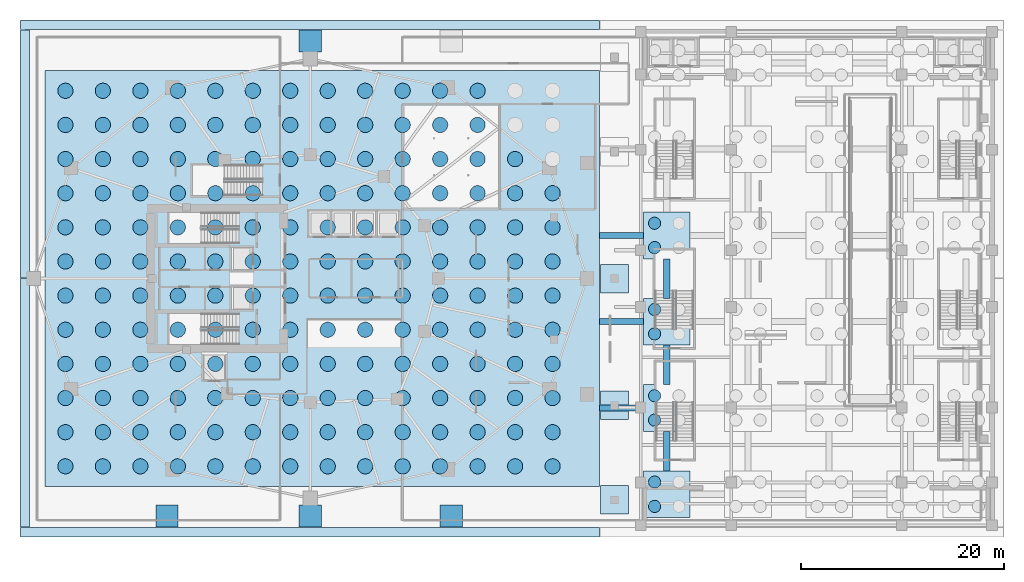
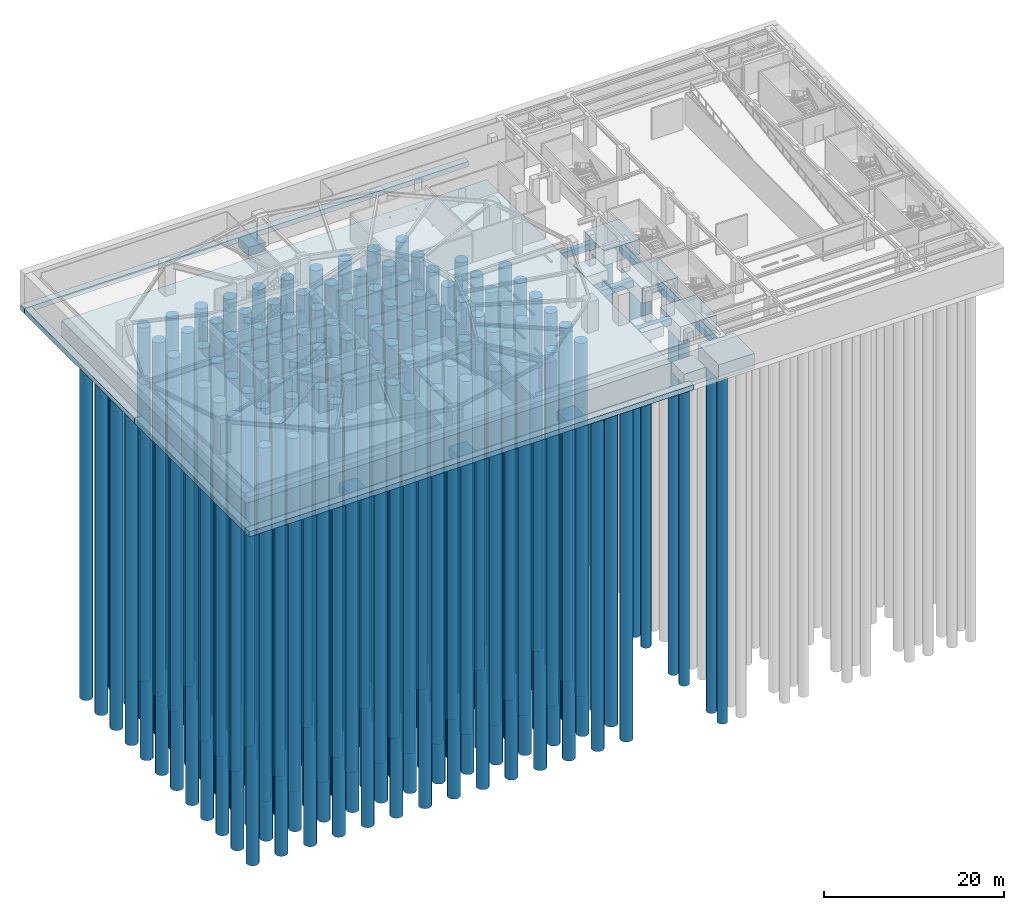
# One storey, part 1 of 19: 171 piles, 22 footings.
"""IFC4 building model written with IfcOpenShell, lengths in metres."""

from ifc_helpers import new_model, si_unit, direction, frame, origin, origin_2d, place, context, subcontext, project, spatial, polyline, rectangle, circle, outline, extrude, material, material_profile, profile_set, type_object, element, save


model = new_model("IFC4")

# Units and contexts
model_context = context("Model", 3, precision=1e-05, world=origin(), true_north=direction((0.0, 1.0)))
body_context = subcontext(model_context, "Body", "Model", "MODEL_VIEW")
ifc_project = project(units=[si_unit("LENGTHUNIT", "METRE"), si_unit("AREAUNIT", "SQUARE_METRE"), si_unit("VOLUMEUNIT", "CUBIC_METRE"), si_unit("PLANEANGLEUNIT", "RADIAN"), si_unit("MASSUNIT", "GRAM", prefix="KILO")], contexts=[model_context])

# Site, building, storey
site_placement = place(None, origin())
site = spatial("IfcSite", under=ifc_project, at=site_placement, CompositionType="ELEMENT")
building_placement = place(site_placement, origin())
building = spatial("IfcBuilding", under=site, at=building_placement, Name="Kolvaren Gate Tower and Convention Centre", CompositionType="ELEMENT")
storey_placement = place(building_placement, frame((0.0, 0.0, -13.5)))
storey = spatial("IfcBuildingStorey", under=building, at=storey_placement, Name="B3", CompositionType="ELEMENT", Elevation=-13.5)

# Footings
ifc_material_1 = material(Name="Concrete C50/60", Category="concrete")
ifc_material_profile_1 = material_profile(ifc_material_1, rectangle(XDim=0.60009765625, YDim=0.89990234375, at=origin_2d()), Name="RC-BM-600X900")
ifc_profile_set_1 = profile_set([ifc_material_profile_1], Name="Concrete C50/60")
footing_type_1 = type_object("IfcFootingType", Name="FND-GB-600X900", PredefinedType="FOOTING_BEAM", material=ifc_profile_set_1)
for number, where, z_axis, x_axis, name in (
    (1, (58.60009765625, 14.25, -0.949951171875), (1.0, 0.0, 0.0), (0.0, 1.0, 0.0), "Substructure Ground Tie Beam GB-004"),
    (2, (58.60009765625, 22.75, -0.949951171875), (1.0, 0.0, 0.0), (0.0, 1.0, 0.0), "Substructure Ground Tie Beam GB-008"),
    (3, (58.60009765625, 31.25, -0.949951171875), (1.0, 0.0, 0.0), (0.0, 1.0, 0.0), "Substructure Ground Tie Beam GB-012"),
):
    element("IfcFooting", number, at=place(storey_placement, frame(where, z_axis=z_axis, x_axis=x_axis)), inside=storey, type_object=footing_type_1, Name=name, PredefinedType="FOOTING_BEAM", context=body_context, shape_type="SweptSolid", body=[
        extrude(rectangle(XDim=0.60009765625, YDim=0.89990234375, at=origin_2d()), origin(), (0.0, 0.0, 1.0), 4.349853515625),
    ])
for number, where, z_axis, x_axis, name in (
    (4, (65.25, 8.050048828125, -0.949951171875), (0.0, 1.0, 0.0), (-1.0, 0.0, 0.0), "Substructure Ground Tie Beam GB-023"),
    (5, (65.25, 16.550048828125, -0.949951171875), (0.0, 1.0, 0.0), (-1.0, 0.0, 0.0), "Substructure Ground Tie Beam GB-024"),
    (6, (65.25, 25.050048828125, -0.949951171875), (0.0, 1.0, 0.0), (-1.0, 0.0, 0.0), "Substructure Ground Tie Beam GB-025"),
):
    element("IfcFooting", number, at=place(storey_placement, frame(where, z_axis=z_axis, x_axis=x_axis)), inside=storey, type_object=footing_type_1, Name=name, PredefinedType="FOOTING_BEAM", context=body_context, shape_type="SweptSolid", body=[
        extrude(rectangle(XDim=0.60009765625, YDim=0.89990234375, at=origin_2d()), origin(), (0.0, 0.0, 1.0), 3.89990234375),
    ])
footing_type_2 = type_object("IfcFootingType", Name="FND-PAD-2200", PredefinedType="PAD_FOOTING", material=ifc_material_1)
for number, where, z_axis, x_axis, name in (
    (7, (30.125, 3.60009765625, -1.7001953125), (0.0, 0.0, 1.0), (1.0, 0.0, 0.0), "Basement Column Pad Footing PF-06"),
    (8, (30.125, 50.39990234375, -1.7001953125), (0.0, 0.0, 1.0), (1.0, 0.0, 0.0), "Basement Column Pad Footing PF-07"),
    (9, (44.0, 3.60009765625, -1.7001953125), (0.0, 0.0, 1.0), (1.0, 0.0, 0.0), "Basement Column Pad Footing PF-08"),
    (10, (16.0, 3.60009765625, -1.7001953125), (0.0, 0.0, 1.0), (1.0, 0.0, 0.0), "Basement Column Pad Footing PF-10"),
):
    element("IfcFooting", number, at=place(storey_placement, frame(where, z_axis=z_axis, x_axis=x_axis)), inside=storey, type_object=footing_type_2, Name=name, PredefinedType="PAD_FOOTING", context=body_context, shape_type="SweptSolid", body=[
        extrude(rectangle(XDim=2.199951171875, YDim=2.199951171875, at=origin_2d()), origin(), (0.0, 0.0, 1.0), 1.199951171875),
    ])
footing_type_3 = type_object("IfcFootingType", Name="FND-PAD-2800", PredefinedType="PAD_FOOTING", material=ifc_material_1)
for number, where, z_axis, x_axis, name in (
    (11, (60.10009765625, 5.199951171875, -1.89990234375), (0.0, 0.0, 1.0), (1.0, 0.0, 0.0), "Basement Column Pad Footing PF-01"),
    (12, (60.10009765625, 14.5, -1.89990234375), (0.0, 0.0, 1.0), (1.0, 0.0, 0.0), "Basement Column Pad Footing PF-02"),
    (13, (60.10009765625, 27.0, -1.89990234375), (0.0, 0.0, 1.0), (1.0, 0.0, 0.0), "Basement Column Pad Footing PF-03"),
):
    element("IfcFooting", number, at=place(storey_placement, frame(where, z_axis=z_axis, x_axis=x_axis)), inside=storey, type_object=footing_type_3, Name=name, PredefinedType="PAD_FOOTING", context=body_context, shape_type="SweptSolid", body=[
        extrude(rectangle(XDim=2.800048828125, YDim=2.800048828125, at=origin_2d()), origin(), (0.0, 0.0, 1.0), 1.39990234375),
    ])
ifc_material_2 = material(Name="Concrete C60/75", Category="concrete")
footing_type_4 = type_object("IfcFootingType", Name="FND-PCAP-4600", PredefinedType="PILE_CAP", material=ifc_material_2)
for number, where, z_axis, x_axis, name in (
    (14, (65.25, 5.75, -2.5), (0.0, 0.0, 1.0), (1.0, 0.0, 0.0), "Convention Pile Cap PCAP-C-01"),
    (15, (65.25, 14.25, -2.5), (0.0, 0.0, 1.0), (1.0, 0.0, 0.0), "Convention Pile Cap PCAP-C-02"),
    (16, (65.25, 22.75, -2.5), (0.0, 0.0, 1.0), (1.0, 0.0, 0.0), "Convention Pile Cap PCAP-C-03"),
    (17, (65.25, 31.25, -2.5), (0.0, 0.0, 1.0), (1.0, 0.0, 0.0), "Convention Pile Cap PCAP-C-04"),
):
    element("IfcFooting", number, at=place(storey_placement, frame(where, z_axis=z_axis, x_axis=x_axis)), inside=storey, type_object=footing_type_4, Name=name, PredefinedType="PILE_CAP", context=body_context, shape_type="SweptSolid", body=[
        extrude(rectangle(XDim=4.60009765625, YDim=4.60009765625, at=origin_2d()), origin(), (0.0, 0.0, 1.0), 2.0),
    ])

# Piles
ifc_material_profile_2 = material_profile(ifc_material_1, circle(Radius=0.60009765625, at=origin_2d()), Name="CAISSON-D1200")
ifc_profile_set_2 = profile_set([ifc_material_profile_2], Name="Concrete C50/60")
pile_type_1 = type_object("IfcPileType", Name="FND-PILE-D1200", PredefinedType="BORED", material=ifc_profile_set_2)
for number, where, z_axis, x_axis, name in (
    (18, (64.050048828125, 4.550048828125, -1.89990234375), (0.0, 0.0, -1.0), (1.0, 0.0, 0.0), "Bored Rock-Socketed Caisson PILE-C-169"),
    (19, (64.050048828125, 6.949951171875, -1.89990234375), (0.0, 0.0, -1.0), (1.0, 0.0, 0.0), "Bored Rock-Socketed Caisson PILE-C-170"),
    (20, (64.050048828125, 13.050048828125, -1.89990234375), (0.0, 0.0, -1.0), (1.0, 0.0, 0.0), "Bored Rock-Socketed Caisson PILE-C-173"),
    (21, (64.050048828125, 15.449951171875, -1.89990234375), (0.0, 0.0, -1.0), (1.0, 0.0, 0.0), "Bored Rock-Socketed Caisson PILE-C-174"),
    (22, (64.050048828125, 21.550048828125, -1.89990234375), (0.0, 0.0, -1.0), (1.0, 0.0, 0.0), "Bored Rock-Socketed Caisson PILE-C-177"),
    (23, (64.050048828125, 23.949951171875, -1.89990234375), (0.0, 0.0, -1.0), (1.0, 0.0, 0.0), "Bored Rock-Socketed Caisson PILE-C-178"),
    (24, (64.050048828125, 30.050048828125, -1.89990234375), (0.0, 0.0, -1.0), (1.0, 0.0, 0.0), "Bored Rock-Socketed Caisson PILE-C-181"),
    (25, (64.050048828125, 32.449951171875, -1.89990234375), (0.0, 0.0, -1.0), (1.0, 0.0, 0.0), "Bored Rock-Socketed Caisson PILE-C-182"),
):
    element("IfcPile", number, at=place(storey_placement, frame(where, z_axis=z_axis, x_axis=x_axis)), inside=storey, type_object=pile_type_1, Name=name, PredefinedType="BORED", context=body_context, shape_type="SweptSolid", body=[
        extrude(circle(Radius=0.60009765625, at=origin_2d()), origin(), (0.0, 0.0, 1.0), 48.0),
    ])
ifc_material_profile_3 = material_profile(ifc_material_1, circle(Radius=0.75, at=origin_2d()), Name="CAISSON-D1500")
ifc_profile_set_3 = profile_set([ifc_material_profile_3], Name="Concrete C50/60")
pile_type_2 = type_object("IfcPileType", Name="FND-PILE-D1500", PredefinedType="BORED", material=ifc_profile_set_3)
for number, where, z_axis, x_axis, name in (
    (26, (6.0, 8.5, -3.10009765625), (0.0, 0.0, -1.0), (1.0, 0.0, 0.0), "Bored Rock-Socketed Caisson PILE-T-001"),
    (27, (6.0, 11.864013671875, -3.10009765625), (0.0, 0.0, -1.0), (1.0, 0.0, 0.0), "Bored Rock-Socketed Caisson PILE-T-002"),
    (28, (6.0, 15.22705078125, -3.10009765625), (0.0, 0.0, -1.0), (1.0, 0.0, 0.0), "Bored Rock-Socketed Caisson PILE-T-003"),
    (29, (6.0, 18.591064453125, -3.10009765625), (0.0, 0.0, -1.0), (1.0, 0.0, 0.0), "Bored Rock-Socketed Caisson PILE-T-004"),
    (30, (6.0, 21.955078125, -3.10009765625), (0.0, 0.0, -1.0), (1.0, 0.0, 0.0), "Bored Rock-Socketed Caisson PILE-T-005"),
    (31, (6.0, 25.318115234375, -3.10009765625), (0.0, 0.0, -1.0), (1.0, 0.0, 0.0), "Bored Rock-Socketed Caisson PILE-T-006"),
    (32, (6.0, 28.681884765625, -3.10009765625), (0.0, 0.0, -1.0), (1.0, 0.0, 0.0), "Bored Rock-Socketed Caisson PILE-T-007"),
    (33, (6.0, 32.044921875, -3.10009765625), (0.0, 0.0, -1.0), (1.0, 0.0, 0.0), "Bored Rock-Socketed Caisson PILE-T-008"),
    (34, (6.0, 35.408935546875, -3.10009765625), (0.0, 0.0, -1.0), (1.0, 0.0, 0.0), "Bored Rock-Socketed Caisson PILE-T-009"),
    (35, (6.0, 38.77294921875, -3.10009765625), (0.0, 0.0, -1.0), (1.0, 0.0, 0.0), "Bored Rock-Socketed Caisson PILE-T-010"),
    (36, (6.0, 42.135986328125, -3.10009765625), (0.0, 0.0, -1.0), (1.0, 0.0, 0.0), "Bored Rock-Socketed Caisson PILE-T-011"),
    (37, (6.0, 45.5, -3.10009765625), (0.0, 0.0, -1.0), (1.0, 0.0, 0.0), "Bored Rock-Socketed Caisson PILE-T-012"),
    (38, (9.69189453125, 8.5, -3.10009765625), (0.0, 0.0, -1.0), (1.0, 0.0, 0.0), "Bored Rock-Socketed Caisson PILE-T-013"),
    (39, (9.69189453125, 11.864013671875, -3.10009765625), (0.0, 0.0, -1.0), (1.0, 0.0, 0.0), "Bored Rock-Socketed Caisson PILE-T-014"),
    (40, (9.69189453125, 15.22705078125, -3.10009765625), (0.0, 0.0, -1.0), (1.0, 0.0, 0.0), "Bored Rock-Socketed Caisson PILE-T-015"),
    (41, (9.69189453125, 18.591064453125, -3.10009765625), (0.0, 0.0, -1.0), (1.0, 0.0, 0.0), "Bored Rock-Socketed Caisson PILE-T-016"),
    (42, (9.69189453125, 21.955078125, -3.10009765625), (0.0, 0.0, -1.0), (1.0, 0.0, 0.0), "Bored Rock-Socketed Caisson PILE-T-017"),
    (43, (9.69189453125, 25.318115234375, -3.10009765625), (0.0, 0.0, -1.0), (1.0, 0.0, 0.0), "Bored Rock-Socketed Caisson PILE-T-018"),
    (44, (9.69189453125, 28.681884765625, -3.10009765625), (0.0, 0.0, -1.0), (1.0, 0.0, 0.0), "Bored Rock-Socketed Caisson PILE-T-019"),
    (45, (9.69189453125, 32.044921875, -3.10009765625), (0.0, 0.0, -1.0), (1.0, 0.0, 0.0), "Bored Rock-Socketed Caisson PILE-T-020"),
    (46, (9.69189453125, 35.408935546875, -3.10009765625), (0.0, 0.0, -1.0), (1.0, 0.0, 0.0), "Bored Rock-Socketed Caisson PILE-T-021"),
    (47, (9.69189453125, 38.77294921875, -3.10009765625), (0.0, 0.0, -1.0), (1.0, 0.0, 0.0), "Bored Rock-Socketed Caisson PILE-T-022"),
    (48, (9.69189453125, 42.135986328125, -3.10009765625), (0.0, 0.0, -1.0), (1.0, 0.0, 0.0), "Bored Rock-Socketed Caisson PILE-T-023"),
    (49, (9.69189453125, 45.5, -3.10009765625), (0.0, 0.0, -1.0), (1.0, 0.0, 0.0), "Bored Rock-Socketed Caisson PILE-T-024"),
    (50, (13.385009765625, 8.5, -3.10009765625), (0.0, 0.0, -1.0), (1.0, 0.0, 0.0), "Bored Rock-Socketed Caisson PILE-T-025"),
    (51, (13.385009765625, 11.864013671875, -3.10009765625), (0.0, 0.0, -1.0), (1.0, 0.0, 0.0), "Bored Rock-Socketed Caisson PILE-T-026"),
    (52, (13.385009765625, 15.22705078125, -3.10009765625), (0.0, 0.0, -1.0), (1.0, 0.0, 0.0), "Bored Rock-Socketed Caisson PILE-T-027"),
    (53, (13.385009765625, 18.591064453125, -3.10009765625), (0.0, 0.0, -1.0), (1.0, 0.0, 0.0), "Bored Rock-Socketed Caisson PILE-T-028"),
    (54, (13.385009765625, 21.955078125, -3.10009765625), (0.0, 0.0, -1.0), (1.0, 0.0, 0.0), "Bored Rock-Socketed Caisson PILE-T-029"),
    (55, (13.385009765625, 25.318115234375, -3.10009765625), (0.0, 0.0, -1.0), (1.0, 0.0, 0.0), "Bored Rock-Socketed Caisson PILE-T-030"),
    (56, (13.385009765625, 28.681884765625, -3.10009765625), (0.0, 0.0, -1.0), (1.0, 0.0, 0.0), "Bored Rock-Socketed Caisson PILE-T-031"),
    (57, (13.385009765625, 32.044921875, -3.10009765625), (0.0, 0.0, -1.0), (1.0, 0.0, 0.0), "Bored Rock-Socketed Caisson PILE-T-032"),
    (58, (13.385009765625, 35.408935546875, -3.10009765625), (0.0, 0.0, -1.0), (1.0, 0.0, 0.0), "Bored Rock-Socketed Caisson PILE-T-033"),
    (59, (13.385009765625, 38.77294921875, -3.10009765625), (0.0, 0.0, -1.0), (1.0, 0.0, 0.0), "Bored Rock-Socketed Caisson PILE-T-034"),
    (60, (13.385009765625, 42.135986328125, -3.10009765625), (0.0, 0.0, -1.0), (1.0, 0.0, 0.0), "Bored Rock-Socketed Caisson PILE-T-035"),
    (61, (13.385009765625, 45.5, -3.10009765625), (0.0, 0.0, -1.0), (1.0, 0.0, 0.0), "Bored Rock-Socketed Caisson PILE-T-036"),
    (62, (17.076904296875, 8.5, -3.10009765625), (0.0, 0.0, -1.0), (1.0, 0.0, 0.0), "Bored Rock-Socketed Caisson PILE-T-037"),
    (63, (17.076904296875, 11.864013671875, -3.10009765625), (0.0, 0.0, -1.0), (1.0, 0.0, 0.0), "Bored Rock-Socketed Caisson PILE-T-038"),
    (64, (17.076904296875, 15.22705078125, -3.10009765625), (0.0, 0.0, -1.0), (1.0, 0.0, 0.0), "Bored Rock-Socketed Caisson PILE-T-039"),
    (65, (17.076904296875, 18.591064453125, -3.10009765625), (0.0, 0.0, -1.0), (1.0, 0.0, 0.0), "Bored Rock-Socketed Caisson PILE-T-040"),
    (66, (17.076904296875, 21.955078125, -3.10009765625), (0.0, 0.0, -1.0), (1.0, 0.0, 0.0), "Bored Rock-Socketed Caisson PILE-T-041"),
    (67, (17.076904296875, 25.318115234375, -3.10009765625), (0.0, 0.0, -1.0), (1.0, 0.0, 0.0), "Bored Rock-Socketed Caisson PILE-T-042"),
    (68, (17.076904296875, 28.681884765625, -3.10009765625), (0.0, 0.0, -1.0), (1.0, 0.0, 0.0), "Bored Rock-Socketed Caisson PILE-T-043"),
    (69, (17.076904296875, 32.044921875, -3.10009765625), (0.0, 0.0, -1.0), (1.0, 0.0, 0.0), "Bored Rock-Socketed Caisson PILE-T-044"),
    (70, (17.076904296875, 35.408935546875, -3.10009765625), (0.0, 0.0, -1.0), (1.0, 0.0, 0.0), "Bored Rock-Socketed Caisson PILE-T-045"),
    (71, (17.076904296875, 38.77294921875, -3.10009765625), (0.0, 0.0, -1.0), (1.0, 0.0, 0.0), "Bored Rock-Socketed Caisson PILE-T-046"),
    (72, (17.076904296875, 42.135986328125, -3.10009765625), (0.0, 0.0, -1.0), (1.0, 0.0, 0.0), "Bored Rock-Socketed Caisson PILE-T-047"),
    (73, (17.076904296875, 45.5, -3.10009765625), (0.0, 0.0, -1.0), (1.0, 0.0, 0.0), "Bored Rock-Socketed Caisson PILE-T-048"),
    (74, (20.76904296875, 8.5, -3.10009765625), (0.0, 0.0, -1.0), (1.0, 0.0, 0.0), "Bored Rock-Socketed Caisson PILE-T-049"),
    (75, (20.76904296875, 11.864013671875, -3.10009765625), (0.0, 0.0, -1.0), (1.0, 0.0, 0.0), "Bored Rock-Socketed Caisson PILE-T-050"),
    (76, (20.76904296875, 15.22705078125, -3.10009765625), (0.0, 0.0, -1.0), (1.0, 0.0, 0.0), "Bored Rock-Socketed Caisson PILE-T-051"),
    (77, (20.76904296875, 18.591064453125, -3.10009765625), (0.0, 0.0, -1.0), (1.0, 0.0, 0.0), "Bored Rock-Socketed Caisson PILE-T-052"),
    (78, (20.76904296875, 21.955078125, -3.10009765625), (0.0, 0.0, -1.0), (1.0, 0.0, 0.0), "Bored Rock-Socketed Caisson PILE-T-053"),
    (79, (20.76904296875, 25.318115234375, -3.10009765625), (0.0, 0.0, -1.0), (1.0, 0.0, 0.0), "Bored Rock-Socketed Caisson PILE-T-054"),
    (80, (20.76904296875, 28.681884765625, -3.10009765625), (0.0, 0.0, -1.0), (1.0, 0.0, 0.0), "Bored Rock-Socketed Caisson PILE-T-055"),
    (81, (20.76904296875, 32.044921875, -3.10009765625), (0.0, 0.0, -1.0), (1.0, 0.0, 0.0), "Bored Rock-Socketed Caisson PILE-T-056"),
    (82, (20.76904296875, 35.408935546875, -3.10009765625), (0.0, 0.0, -1.0), (1.0, 0.0, 0.0), "Bored Rock-Socketed Caisson PILE-T-057"),
    (83, (20.76904296875, 38.77294921875, -3.10009765625), (0.0, 0.0, -1.0), (1.0, 0.0, 0.0), "Bored Rock-Socketed Caisson PILE-T-058"),
    (84, (20.76904296875, 42.135986328125, -3.10009765625), (0.0, 0.0, -1.0), (1.0, 0.0, 0.0), "Bored Rock-Socketed Caisson PILE-T-059"),
    (85, (20.76904296875, 45.5, -3.10009765625), (0.0, 0.0, -1.0), (1.0, 0.0, 0.0), "Bored Rock-Socketed Caisson PILE-T-060"),
    (86, (24.4619140625, 8.5, -3.10009765625), (0.0, 0.0, -1.0), (1.0, 0.0, 0.0), "Bored Rock-Socketed Caisson PILE-T-061"),
    (87, (24.4619140625, 11.864013671875, -3.10009765625), (0.0, 0.0, -1.0), (1.0, 0.0, 0.0), "Bored Rock-Socketed Caisson PILE-T-062"),
    (88, (24.4619140625, 15.22705078125, -3.10009765625), (0.0, 0.0, -1.0), (1.0, 0.0, 0.0), "Bored Rock-Socketed Caisson PILE-T-063"),
    (89, (24.4619140625, 18.591064453125, -3.10009765625), (0.0, 0.0, -1.0), (1.0, 0.0, 0.0), "Bored Rock-Socketed Caisson PILE-T-064"),
    (90, (24.4619140625, 21.955078125, -3.10009765625), (0.0, 0.0, -1.0), (1.0, 0.0, 0.0), "Bored Rock-Socketed Caisson PILE-T-065"),
    (91, (24.4619140625, 25.318115234375, -3.10009765625), (0.0, 0.0, -1.0), (1.0, 0.0, 0.0), "Bored Rock-Socketed Caisson PILE-T-066"),
    (92, (24.4619140625, 28.681884765625, -3.10009765625), (0.0, 0.0, -1.0), (1.0, 0.0, 0.0), "Bored Rock-Socketed Caisson PILE-T-067"),
    (93, (24.4619140625, 32.044921875, -3.10009765625), (0.0, 0.0, -1.0), (1.0, 0.0, 0.0), "Bored Rock-Socketed Caisson PILE-T-068"),
    (94, (24.4619140625, 35.408935546875, -3.10009765625), (0.0, 0.0, -1.0), (1.0, 0.0, 0.0), "Bored Rock-Socketed Caisson PILE-T-069"),
    (95, (24.4619140625, 38.77294921875, -3.10009765625), (0.0, 0.0, -1.0), (1.0, 0.0, 0.0), "Bored Rock-Socketed Caisson PILE-T-070"),
    (96, (24.4619140625, 42.135986328125, -3.10009765625), (0.0, 0.0, -1.0), (1.0, 0.0, 0.0), "Bored Rock-Socketed Caisson PILE-T-071"),
    (97, (24.4619140625, 45.5, -3.10009765625), (0.0, 0.0, -1.0), (1.0, 0.0, 0.0), "Bored Rock-Socketed Caisson PILE-T-072"),
    (98, (28.154052734375, 8.5, -3.10009765625), (0.0, 0.0, -1.0), (1.0, 0.0, 0.0), "Bored Rock-Socketed Caisson PILE-T-073"),
    (99, (28.154052734375, 11.864013671875, -3.10009765625), (0.0, 0.0, -1.0), (1.0, 0.0, 0.0), "Bored Rock-Socketed Caisson PILE-T-074"),
    (100, (28.154052734375, 15.22705078125, -3.10009765625), (0.0, 0.0, -1.0), (1.0, 0.0, 0.0), "Bored Rock-Socketed Caisson PILE-T-075"),
    (101, (28.154052734375, 18.591064453125, -3.10009765625), (0.0, 0.0, -1.0), (1.0, 0.0, 0.0), "Bored Rock-Socketed Caisson PILE-T-076"),
    (102, (28.154052734375, 21.955078125, -3.10009765625), (0.0, 0.0, -1.0), (1.0, 0.0, 0.0), "Bored Rock-Socketed Caisson PILE-T-077"),
    (103, (28.154052734375, 25.318115234375, -3.10009765625), (0.0, 0.0, -1.0), (1.0, 0.0, 0.0), "Bored Rock-Socketed Caisson PILE-T-078"),
    (104, (28.154052734375, 28.681884765625, -3.10009765625), (0.0, 0.0, -1.0), (1.0, 0.0, 0.0), "Bored Rock-Socketed Caisson PILE-T-079"),
    (105, (28.154052734375, 32.044921875, -3.10009765625), (0.0, 0.0, -1.0), (1.0, 0.0, 0.0), "Bored Rock-Socketed Caisson PILE-T-080"),
    (106, (28.154052734375, 35.408935546875, -3.10009765625), (0.0, 0.0, -1.0), (1.0, 0.0, 0.0), "Bored Rock-Socketed Caisson PILE-T-081"),
    (107, (28.154052734375, 38.77294921875, -3.10009765625), (0.0, 0.0, -1.0), (1.0, 0.0, 0.0), "Bored Rock-Socketed Caisson PILE-T-082"),
    (108, (28.154052734375, 42.135986328125, -3.10009765625), (0.0, 0.0, -1.0), (1.0, 0.0, 0.0), "Bored Rock-Socketed Caisson PILE-T-083"),
    (109, (28.154052734375, 45.5, -3.10009765625), (0.0, 0.0, -1.0), (1.0, 0.0, 0.0), "Bored Rock-Socketed Caisson PILE-T-084"),
    (110, (31.845947265625, 8.5, -3.10009765625), (0.0, 0.0, -1.0), (1.0, 0.0, 0.0), "Bored Rock-Socketed Caisson PILE-T-085"),
    (111, (31.845947265625, 11.864013671875, -3.10009765625), (0.0, 0.0, -1.0), (1.0, 0.0, 0.0), "Bored Rock-Socketed Caisson PILE-T-086"),
    (112, (31.845947265625, 15.22705078125, -3.10009765625), (0.0, 0.0, -1.0), (1.0, 0.0, 0.0), "Bored Rock-Socketed Caisson PILE-T-087"),
    (113, (31.845947265625, 18.591064453125, -3.10009765625), (0.0, 0.0, -1.0), (1.0, 0.0, 0.0), "Bored Rock-Socketed Caisson PILE-T-088"),
    (114, (31.845947265625, 21.955078125, -3.10009765625), (0.0, 0.0, -1.0), (1.0, 0.0, 0.0), "Bored Rock-Socketed Caisson PILE-T-089"),
    (115, (31.845947265625, 25.318115234375, -3.10009765625), (0.0, 0.0, -1.0), (1.0, 0.0, 0.0), "Bored Rock-Socketed Caisson PILE-T-090"),
    (116, (31.845947265625, 28.681884765625, -3.10009765625), (0.0, 0.0, -1.0), (1.0, 0.0, 0.0), "Bored Rock-Socketed Caisson PILE-T-091"),
    (117, (31.845947265625, 32.044921875, -3.10009765625), (0.0, 0.0, -1.0), (1.0, 0.0, 0.0), "Bored Rock-Socketed Caisson PILE-T-092"),
    (118, (31.845947265625, 35.408935546875, -3.10009765625), (0.0, 0.0, -1.0), (1.0, 0.0, 0.0), "Bored Rock-Socketed Caisson PILE-T-093"),
    (119, (31.845947265625, 38.77294921875, -3.10009765625), (0.0, 0.0, -1.0), (1.0, 0.0, 0.0), "Bored Rock-Socketed Caisson PILE-T-094"),
    (120, (31.845947265625, 42.135986328125, -3.10009765625), (0.0, 0.0, -1.0), (1.0, 0.0, 0.0), "Bored Rock-Socketed Caisson PILE-T-095"),
    (121, (31.845947265625, 45.5, -3.10009765625), (0.0, 0.0, -1.0), (1.0, 0.0, 0.0), "Bored Rock-Socketed Caisson PILE-T-096"),
    (122, (35.5380859375, 8.5, -3.10009765625), (0.0, 0.0, -1.0), (1.0, 0.0, 0.0), "Bored Rock-Socketed Caisson PILE-T-097"),
    (123, (35.5380859375, 11.864013671875, -3.10009765625), (0.0, 0.0, -1.0), (1.0, 0.0, 0.0), "Bored Rock-Socketed Caisson PILE-T-098"),
    (124, (35.5380859375, 15.22705078125, -3.10009765625), (0.0, 0.0, -1.0), (1.0, 0.0, 0.0), "Bored Rock-Socketed Caisson PILE-T-099"),
    (125, (35.5380859375, 18.591064453125, -3.10009765625), (0.0, 0.0, -1.0), (1.0, 0.0, 0.0), "Bored Rock-Socketed Caisson PILE-T-100"),
    (126, (35.5380859375, 21.955078125, -3.10009765625), (0.0, 0.0, -1.0), (1.0, 0.0, 0.0), "Bored Rock-Socketed Caisson PILE-T-101"),
    (127, (35.5380859375, 25.318115234375, -3.10009765625), (0.0, 0.0, -1.0), (1.0, 0.0, 0.0), "Bored Rock-Socketed Caisson PILE-T-102"),
    (128, (35.5380859375, 28.681884765625, -3.10009765625), (0.0, 0.0, -1.0), (1.0, 0.0, 0.0), "Bored Rock-Socketed Caisson PILE-T-103"),
    (129, (35.5380859375, 32.044921875, -3.10009765625), (0.0, 0.0, -1.0), (1.0, 0.0, 0.0), "Bored Rock-Socketed Caisson PILE-T-104"),
    (130, (35.5380859375, 35.408935546875, -3.10009765625), (0.0, 0.0, -1.0), (1.0, 0.0, 0.0), "Bored Rock-Socketed Caisson PILE-T-105"),
    (131, (35.5380859375, 38.77294921875, -3.10009765625), (0.0, 0.0, -1.0), (1.0, 0.0, 0.0), "Bored Rock-Socketed Caisson PILE-T-106"),
    (132, (35.5380859375, 42.135986328125, -3.10009765625), (0.0, 0.0, -1.0), (1.0, 0.0, 0.0), "Bored Rock-Socketed Caisson PILE-T-107"),
    (133, (35.5380859375, 45.5, -3.10009765625), (0.0, 0.0, -1.0), (1.0, 0.0, 0.0), "Bored Rock-Socketed Caisson PILE-T-108"),
    (134, (39.23095703125, 8.5, -3.10009765625), (0.0, 0.0, -1.0), (1.0, 0.0, 0.0), "Bored Rock-Socketed Caisson PILE-T-109"),
    (135, (39.23095703125, 11.864013671875, -3.10009765625), (0.0, 0.0, -1.0), (1.0, 0.0, 0.0), "Bored Rock-Socketed Caisson PILE-T-110"),
    (136, (39.23095703125, 15.22705078125, -3.10009765625), (0.0, 0.0, -1.0), (1.0, 0.0, 0.0), "Bored Rock-Socketed Caisson PILE-T-111"),
    (137, (39.23095703125, 18.591064453125, -3.10009765625), (0.0, 0.0, -1.0), (1.0, 0.0, 0.0), "Bored Rock-Socketed Caisson PILE-T-112"),
    (138, (39.23095703125, 21.955078125, -3.10009765625), (0.0, 0.0, -1.0), (1.0, 0.0, 0.0), "Bored Rock-Socketed Caisson PILE-T-113"),
    (139, (39.23095703125, 25.318115234375, -3.10009765625), (0.0, 0.0, -1.0), (1.0, 0.0, 0.0), "Bored Rock-Socketed Caisson PILE-T-114"),
    (140, (39.23095703125, 28.681884765625, -3.10009765625), (0.0, 0.0, -1.0), (1.0, 0.0, 0.0), "Bored Rock-Socketed Caisson PILE-T-115"),
    (141, (39.23095703125, 32.044921875, -3.10009765625), (0.0, 0.0, -1.0), (1.0, 0.0, 0.0), "Bored Rock-Socketed Caisson PILE-T-116"),
    (142, (39.23095703125, 35.408935546875, -3.10009765625), (0.0, 0.0, -1.0), (1.0, 0.0, 0.0), "Bored Rock-Socketed Caisson PILE-T-117"),
    (143, (39.23095703125, 38.77294921875, -3.10009765625), (0.0, 0.0, -1.0), (1.0, 0.0, 0.0), "Bored Rock-Socketed Caisson PILE-T-118"),
    (144, (39.23095703125, 42.135986328125, -3.10009765625), (0.0, 0.0, -1.0), (1.0, 0.0, 0.0), "Bored Rock-Socketed Caisson PILE-T-119"),
    (145, (39.23095703125, 45.5, -3.10009765625), (0.0, 0.0, -1.0), (1.0, 0.0, 0.0), "Bored Rock-Socketed Caisson PILE-T-120"),
    (146, (42.923095703125, 8.5, -3.10009765625), (0.0, 0.0, -1.0), (1.0, 0.0, 0.0), "Bored Rock-Socketed Caisson PILE-T-121"),
    (147, (42.923095703125, 11.864013671875, -3.10009765625), (0.0, 0.0, -1.0), (1.0, 0.0, 0.0), "Bored Rock-Socketed Caisson PILE-T-122"),
    (148, (42.923095703125, 15.22705078125, -3.10009765625), (0.0, 0.0, -1.0), (1.0, 0.0, 0.0), "Bored Rock-Socketed Caisson PILE-T-123"),
    (149, (42.923095703125, 18.591064453125, -3.10009765625), (0.0, 0.0, -1.0), (1.0, 0.0, 0.0), "Bored Rock-Socketed Caisson PILE-T-124"),
    (150, (42.923095703125, 21.955078125, -3.10009765625), (0.0, 0.0, -1.0), (1.0, 0.0, 0.0), "Bored Rock-Socketed Caisson PILE-T-125"),
    (151, (42.923095703125, 25.318115234375, -3.10009765625), (0.0, 0.0, -1.0), (1.0, 0.0, 0.0), "Bored Rock-Socketed Caisson PILE-T-126"),
    (152, (42.923095703125, 28.681884765625, -3.10009765625), (0.0, 0.0, -1.0), (1.0, 0.0, 0.0), "Bored Rock-Socketed Caisson PILE-T-127"),
    (153, (42.923095703125, 32.044921875, -3.10009765625), (0.0, 0.0, -1.0), (1.0, 0.0, 0.0), "Bored Rock-Socketed Caisson PILE-T-128"),
    (154, (42.923095703125, 35.408935546875, -3.10009765625), (0.0, 0.0, -1.0), (1.0, 0.0, 0.0), "Bored Rock-Socketed Caisson PILE-T-129"),
    (155, (42.923095703125, 38.77294921875, -3.10009765625), (0.0, 0.0, -1.0), (1.0, 0.0, 0.0), "Bored Rock-Socketed Caisson PILE-T-130"),
    (156, (42.923095703125, 42.135986328125, -3.10009765625), (0.0, 0.0, -1.0), (1.0, 0.0, 0.0), "Bored Rock-Socketed Caisson PILE-T-131"),
    (157, (42.923095703125, 45.5, -3.10009765625), (0.0, 0.0, -1.0), (1.0, 0.0, 0.0), "Bored Rock-Socketed Caisson PILE-T-132"),
    (158, (46.614990234375, 8.5, -3.10009765625), (0.0, 0.0, -1.0), (1.0, 0.0, 0.0), "Bored Rock-Socketed Caisson PILE-T-133"),
    (159, (46.614990234375, 11.864013671875, -3.10009765625), (0.0, 0.0, -1.0), (1.0, 0.0, 0.0), "Bored Rock-Socketed Caisson PILE-T-134"),
    (160, (46.614990234375, 15.22705078125, -3.10009765625), (0.0, 0.0, -1.0), (1.0, 0.0, 0.0), "Bored Rock-Socketed Caisson PILE-T-135"),
    (161, (46.614990234375, 18.591064453125, -3.10009765625), (0.0, 0.0, -1.0), (1.0, 0.0, 0.0), "Bored Rock-Socketed Caisson PILE-T-136"),
    (162, (46.614990234375, 21.955078125, -3.10009765625), (0.0, 0.0, -1.0), (1.0, 0.0, 0.0), "Bored Rock-Socketed Caisson PILE-T-137"),
    (163, (46.614990234375, 25.318115234375, -3.10009765625), (0.0, 0.0, -1.0), (1.0, 0.0, 0.0), "Bored Rock-Socketed Caisson PILE-T-138"),
    (164, (46.614990234375, 28.681884765625, -3.10009765625), (0.0, 0.0, -1.0), (1.0, 0.0, 0.0), "Bored Rock-Socketed Caisson PILE-T-139"),
    (165, (46.614990234375, 32.044921875, -3.10009765625), (0.0, 0.0, -1.0), (1.0, 0.0, 0.0), "Bored Rock-Socketed Caisson PILE-T-140"),
    (166, (46.614990234375, 35.408935546875, -3.10009765625), (0.0, 0.0, -1.0), (1.0, 0.0, 0.0), "Bored Rock-Socketed Caisson PILE-T-141"),
    (167, (46.614990234375, 38.77294921875, -3.10009765625), (0.0, 0.0, -1.0), (1.0, 0.0, 0.0), "Bored Rock-Socketed Caisson PILE-T-142"),
    (168, (46.614990234375, 42.135986328125, -3.10009765625), (0.0, 0.0, -1.0), (1.0, 0.0, 0.0), "Bored Rock-Socketed Caisson PILE-T-143"),
    (169, (46.614990234375, 45.5, -3.10009765625), (0.0, 0.0, -1.0), (1.0, 0.0, 0.0), "Bored Rock-Socketed Caisson PILE-T-144"),
    (170, (50.30810546875, 8.5, -3.10009765625), (0.0, 0.0, -1.0), (1.0, 0.0, 0.0), "Bored Rock-Socketed Caisson PILE-T-145"),
    (171, (50.30810546875, 11.864013671875, -3.10009765625), (0.0, 0.0, -1.0), (1.0, 0.0, 0.0), "Bored Rock-Socketed Caisson PILE-T-146"),
    (172, (50.30810546875, 15.22705078125, -3.10009765625), (0.0, 0.0, -1.0), (1.0, 0.0, 0.0), "Bored Rock-Socketed Caisson PILE-T-147"),
    (173, (50.30810546875, 18.591064453125, -3.10009765625), (0.0, 0.0, -1.0), (1.0, 0.0, 0.0), "Bored Rock-Socketed Caisson PILE-T-148"),
    (174, (50.30810546875, 21.955078125, -3.10009765625), (0.0, 0.0, -1.0), (1.0, 0.0, 0.0), "Bored Rock-Socketed Caisson PILE-T-149"),
    (175, (50.30810546875, 25.318115234375, -3.10009765625), (0.0, 0.0, -1.0), (1.0, 0.0, 0.0), "Bored Rock-Socketed Caisson PILE-T-150"),
    (176, (50.30810546875, 28.681884765625, -3.10009765625), (0.0, 0.0, -1.0), (1.0, 0.0, 0.0), "Bored Rock-Socketed Caisson PILE-T-151"),
    (177, (50.30810546875, 32.044921875, -3.10009765625), (0.0, 0.0, -1.0), (1.0, 0.0, 0.0), "Bored Rock-Socketed Caisson PILE-T-152"),
    (178, (50.30810546875, 35.408935546875, -3.10009765625), (0.0, 0.0, -1.0), (1.0, 0.0, 0.0), "Bored Rock-Socketed Caisson PILE-T-153"),
    (179, (50.30810546875, 38.77294921875, -3.10009765625), (0.0, 0.0, -1.0), (1.0, 0.0, 0.0), "Bored Rock-Socketed Caisson PILE-T-154"),
    (180, (54.0, 8.5, -3.10009765625), (0.0, 0.0, -1.0), (1.0, 0.0, 0.0), "Bored Rock-Socketed Caisson PILE-T-157"),
    (181, (54.0, 11.864013671875, -3.10009765625), (0.0, 0.0, -1.0), (1.0, 0.0, 0.0), "Bored Rock-Socketed Caisson PILE-T-158"),
    (182, (54.0, 15.22705078125, -3.10009765625), (0.0, 0.0, -1.0), (1.0, 0.0, 0.0), "Bored Rock-Socketed Caisson PILE-T-159"),
    (183, (54.0, 18.591064453125, -3.10009765625), (0.0, 0.0, -1.0), (1.0, 0.0, 0.0), "Bored Rock-Socketed Caisson PILE-T-160"),
    (184, (54.0, 21.955078125, -3.10009765625), (0.0, 0.0, -1.0), (1.0, 0.0, 0.0), "Bored Rock-Socketed Caisson PILE-T-161"),
    (185, (54.0, 25.318115234375, -3.10009765625), (0.0, 0.0, -1.0), (1.0, 0.0, 0.0), "Bored Rock-Socketed Caisson PILE-T-162"),
    (186, (54.0, 28.681884765625, -3.10009765625), (0.0, 0.0, -1.0), (1.0, 0.0, 0.0), "Bored Rock-Socketed Caisson PILE-T-163"),
    (187, (54.0, 32.044921875, -3.10009765625), (0.0, 0.0, -1.0), (1.0, 0.0, 0.0), "Bored Rock-Socketed Caisson PILE-T-164"),
    (188, (54.0, 35.408935546875, -3.10009765625), (0.0, 0.0, -1.0), (1.0, 0.0, 0.0), "Bored Rock-Socketed Caisson PILE-T-165"),
):
    element("IfcPile", number, at=place(storey_placement, frame(where, z_axis=z_axis, x_axis=x_axis)), inside=storey, type_object=pile_type_2, Name=name, PredefinedType="BORED", context=body_context, shape_type="SweptSolid", body=[
        extrude(circle(Radius=0.75, at=origin_2d()), origin(), (0.0, 0.0, 1.0), 48.0),
    ])

# Footings
footing_type_5 = type_object("IfcFootingType", Name="FND-RAFT-3200", PredefinedType="PILE_CAP", material=ifc_material_2)
footing_1_placement = place(storey_placement, frame((0.0, 0.0, -3.699951171875)))
element("IfcFooting", 189, at=footing_1_placement, inside=storey, type_object=footing_type_5, Name="Tower Core and Arch Piled Raft Foundation", PredefinedType="PILE_CAP", context=body_context, shape_type="SweptSolid", body=[
    extrude(outline(polyline([(4.0, 6.5), (58.60009765625, 6.5), (58.60009765625, 47.5), (4.0, 47.5), (4.0, 6.5)])), origin(), (0.0, 0.0, 1.0), 3.199951171875),
])
footing_type_6 = type_object("IfcFootingType", Name="FND-SF-900X700", PredefinedType="STRIP_FOOTING", material=ifc_material_1)
footing_2_placement = place(storey_placement, frame((0.0, 0.0, -1.199951171875)))
element("IfcFooting", 190, at=footing_2_placement, inside=storey, type_object=footing_type_6, Name="Diaphragm Wall Strip Footing SF-N-W", PredefinedType="STRIP_FOOTING", context=body_context, shape_type="SweptSolid", body=[
    extrude(outline(polyline([(1.550048828125, 51.550048828125), (58.60009765625, 51.550048828125), (58.60009765625, 52.449951171875), (1.550048828125, 52.449951171875), (1.550048828125, 51.550048828125)])), origin(), (0.0, 0.0, 1.0), 0.699951171875),
])
footing_3_placement = place(storey_placement, frame((0.0, 0.0, -1.199951171875)))
element("IfcFooting", 191, at=footing_3_placement, inside=storey, type_object=footing_type_6, Name="Diaphragm Wall Strip Footing SF-S-W", PredefinedType="STRIP_FOOTING", context=body_context, shape_type="SweptSolid", body=[
    extrude(outline(polyline([(1.550048828125, 1.550048828125), (58.60009765625, 1.550048828125), (58.60009765625, 2.449951171875), (1.550048828125, 2.449951171875), (1.550048828125, 1.550048828125)])), origin(), (0.0, 0.0, 1.0), 0.699951171875),
])
footing_4_placement = place(storey_placement, frame((0.0, 0.0, -1.199951171875)))
element("IfcFooting", 192, at=footing_4_placement, inside=storey, type_object=footing_type_6, Name="Diaphragm Wall Strip Footing SF-W-S", PredefinedType="STRIP_FOOTING", context=body_context, shape_type="SweptSolid", body=[
    extrude(outline(polyline([(1.550048828125, 2.5), (2.449951171875, 2.5), (2.449951171875, 27.0), (1.550048828125, 27.0), (1.550048828125, 2.5)])), origin(), (0.0, 0.0, 1.0), 0.699951171875),
])
footing_5_placement = place(storey_placement, frame((0.0, 0.0, -1.199951171875)))
element("IfcFooting", 193, at=footing_5_placement, inside=storey, type_object=footing_type_6, Name="Diaphragm Wall Strip Footing SF-W-N", PredefinedType="STRIP_FOOTING", context=body_context, shape_type="SweptSolid", body=[
    extrude(outline(polyline([(1.550048828125, 27.050048828125), (2.449951171875, 27.050048828125), (2.449951171875, 51.5), (1.550048828125, 51.5), (1.550048828125, 27.050048828125)])), origin(), (0.0, 0.0, 1.0), 0.699951171875),
])

save(model, "model.ifc")
